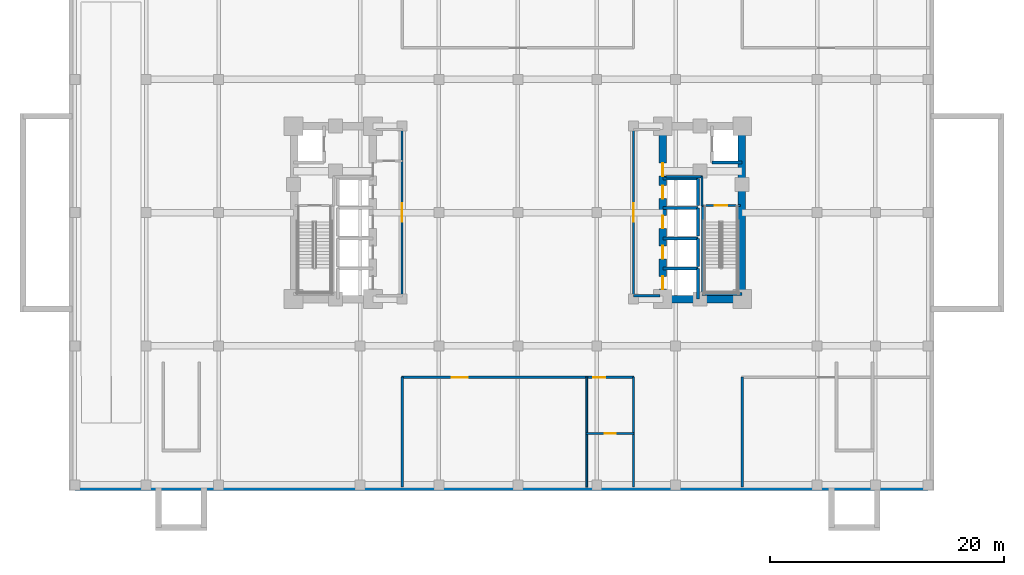
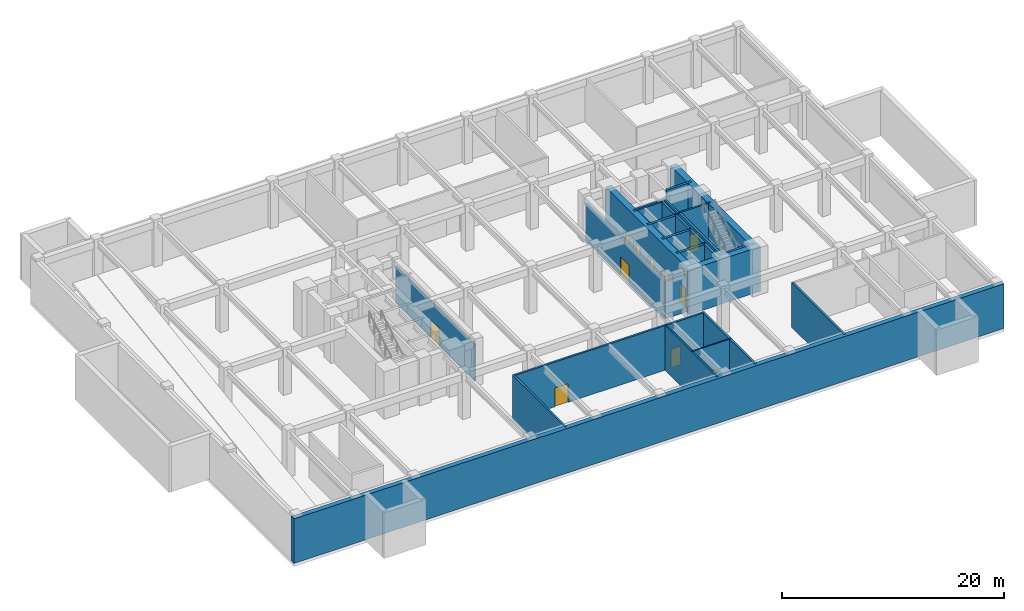
# One storey, part 4 of 7: 27 walls, 11 doors, 11 openings.
"""IFC4 building model written with IfcOpenShell, lengths in metres."""

from ifc_helpers import new_model, si_unit, direction, frame, frame_2d, origin, place, context, subcontext, project, spatial, rectangle, extrude, material, layer, layer_set, type_object, element, fill, save


model = new_model("IFC4")

# Units and contexts
model_context = context("Model", 3, precision=1e-05, world=origin(), true_north=direction((0.0, 1.0)))
body_context = subcontext(model_context, "Body", "Model", "MODEL_VIEW")
ifc_project = project(units=[si_unit("LENGTHUNIT", "METRE"), si_unit("AREAUNIT", "SQUARE_METRE"), si_unit("VOLUMEUNIT", "CUBIC_METRE"), si_unit("PLANEANGLEUNIT", "RADIAN"), si_unit("MASSUNIT", "GRAM", prefix="KILO")], contexts=[model_context])

# Site, building, storey
site_placement = place(None, origin())
site = spatial("IfcSite", under=ifc_project, at=site_placement, CompositionType="ELEMENT")
building_placement = place(site_placement, origin())
building = spatial("IfcBuilding", under=site, at=building_placement, Name="Voryun Gate Residences", CompositionType="ELEMENT")
storey_placement = place(building_placement, frame((0.0, 0.0, -5.199951171875)))
storey = spatial("IfcBuildingStorey", under=building, at=storey_placement, Name="B01", CompositionType="ELEMENT", Elevation=-5.199951171875)

# Walls
ifc_material_1 = material(Name="Concrete C50/60", Category="concrete")
ifc_layer_1 = layer(ifc_material_1, 0.5, Name="CW_BSMT_RET_500")
ifc_layer_set_1 = layer_set([ifc_layer_1], Name="Concrete C50/60")
wall_type_1 = type_object("IfcWallType", Name="CW_BSMT_RET_500", PredefinedType="USERDEFINED", material=ifc_layer_set_1)
wall_1_placement = place(storey_placement, frame((-38.39990234375, -23.550048828125, 0.0), z_axis=(0.0, 0.0, 1.0), x_axis=(1.0, 0.0, 0.0)))
element("IfcWall", 1, at=wall_1_placement, inside=storey, type_object=wall_type_1, Name="B01 Perimeter Basement Retaining Wall WRET-B01-S", ObjectType="RETAININGWALL", PredefinedType="USERDEFINED", context=body_context, shape_type="SweptSolid", body=[
    extrude(rectangle(XDim=74.0, YDim=0.5, at=frame_2d((37.0, 0.0))), origin(), (0.0, 0.0, 1.0), 4.919921875),
])
ifc_material_2 = material(Name="Concrete C60/75", Category="concrete")
ifc_layer_2 = layer(ifc_material_2, 0.64990234375, Name="CW_CORE_650")
ifc_layer_set_2 = layer_set([ifc_layer_2], Name="Concrete C60/75")
wall_type_2 = type_object("IfcWallType", Name="CW_CORE_650", PredefinedType="SHEAR", material=ifc_layer_set_2)
wall_2_placement = place(storey_placement, frame((12.074951171875, -7.39990234375, 0.0), z_axis=(0.0, 0.0, 1.0), x_axis=(1.0, 0.0, 0.0)))
element("IfcWall", 2, at=wall_2_placement, inside=storey, type_object=wall_type_2, Name="B01 Core shear wall CW-B01-ES", PredefinedType="SHEAR", context=body_context, shape_type="SweptSolid", body=[
    extrude(rectangle(XDim=7.449951171875, YDim=0.64990234375, at=frame_2d((3.72509765625, 0.0))), origin(), (0.0, 0.0, 1.0), 4.919921875),
])

# Wall, openings, doors
wall_3_placement = place(storey_placement, frame((12.39990234375, -7.39990234375, 0.0), z_axis=(0.0, 0.0, 1.0), x_axis=(0.0, 1.0, 0.0)))
wall_3 = element("IfcWall", 3, at=wall_3_placement, inside=storey, type_object=wall_type_2, Name="B01 Core shear wall CW-B01-EW", PredefinedType="SHEAR", context=body_context, shape_type="SweptSolid", body=[
    extrude(rectangle(XDim=14.7998046875, YDim=0.64990234375, at=frame_2d((7.39990234375, 0.0))), origin(), (0.0, 0.0, 1.0), 4.919921875),
])
opening_1_placement = place(wall_3_placement, frame((0.85009765625, 0.0, 0.0)))
opening_1 = element("IfcOpeningElement", 4, at=opening_1_placement, cuts=wall_3, Name="Opening LD2", PredefinedType="OPENING", context=body_context, shape_type="SweptSolid", body=[
    extrude(rectangle(XDim=1.10009765625, YDim=2.050048828125, at=frame_2d((0.550048828125, 1.02490234375))), frame((0.0, 0.3349609375, 0.0), z_axis=(0.0, -1.0, 0.0), x_axis=(1.0, 0.0, 0.0)), (0.0, 0.0, 1.0), 0.669921875),
])
opening_2_placement = place(wall_3_placement, frame((3.449951171875, 0.0, 0.0)))
opening_2 = element("IfcOpeningElement", 5, at=opening_2_placement, cuts=wall_3, Name="Opening LD2", PredefinedType="OPENING", context=body_context, shape_type="SweptSolid", body=[
    extrude(rectangle(XDim=1.10009765625, YDim=2.050048828125, at=frame_2d((0.550048828125, 1.02490234375))), frame((0.0, 0.3349609375, 0.0), z_axis=(0.0, -1.0, 0.0), x_axis=(1.0, 0.0, 0.0)), (0.0, 0.0, 1.0), 0.669921875),
])
opening_3_placement = place(wall_3_placement, frame((6.050048828125, 0.0, 0.0)))
opening_3 = element("IfcOpeningElement", 6, at=opening_3_placement, cuts=wall_3, Name="Opening LD2", PredefinedType="OPENING", context=body_context, shape_type="SweptSolid", body=[
    extrude(rectangle(XDim=1.10009765625, YDim=2.050048828125, at=frame_2d((0.550048828125, 1.02490234375))), frame((0.0, 0.3349609375, 0.0), z_axis=(0.0, -1.0, 0.0), x_axis=(1.0, 0.0, 0.0)), (0.0, 0.0, 1.0), 0.669921875),
])
opening_4_placement = place(wall_3_placement, frame((8.60009765625, 0.0, 0.0)))
opening_4 = element("IfcOpeningElement", 7, at=opening_4_placement, cuts=wall_3, Name="Opening LD2", PredefinedType="OPENING", context=body_context, shape_type="SweptSolid", body=[
    extrude(rectangle(XDim=1.10009765625, YDim=2.050048828125, at=frame_2d((0.550048828125, 1.02490234375))), frame((0.0, 0.3349609375, 0.0), z_axis=(0.0, -1.0, 0.0), x_axis=(1.0, 0.0, 0.0)), (0.0, 0.0, 1.0), 0.669921875),
])
opening_5_placement = place(wall_3_placement, frame((10.530029296875, 0.0, 0.0)))
opening_5 = element("IfcOpeningElement", 8, at=opening_5_placement, cuts=wall_3, Name="Opening D-FD60-2", PredefinedType="OPENING", context=body_context, shape_type="SweptSolid", body=[
    extrude(rectangle(XDim=1.10009765625, YDim=2.050048828125, at=frame_2d((0.550048828125, 1.02490234375))), frame((0.0, 0.3349609375, 0.0), z_axis=(0.0, -1.0, 0.0), x_axis=(1.0, 0.0, 0.0)), (0.0, 0.0, 1.0), 0.669921875),
])
ifc_material_3 = material(Name="Painted steel fire door", Category="steel")
door_type_1 = type_object("IfcDoorType", Name="DR_FD60_FFLOB_1100", OperationType="NOTDEFINED", PredefinedType="DOOR", material=ifc_material_3)
door_1_placement = place(opening_5_placement, origin())
door_1 = element("IfcDoor", 9, at=door_1_placement, inside=storey, type_object=door_type_1, Name="Door DR-B01-CLOB-E", OperationType="SINGLE_SWING_RIGHT", OverallHeight=2.050048828125, OverallWidth=1.10009765625, PredefinedType="DOOR", context=body_context, shape_type="SweptSolid", body=[
    extrude(rectangle(XDim=1.10009765625, YDim=2.050048828125, at=frame_2d((0.550048828125, 1.02490234375))), frame((0.0, 0.02490234375, 0.0), z_axis=(0.0, -1.0, 0.0), x_axis=(1.0, 0.0, 0.0)), (0.0, 0.0, 1.0), 0.050048828125),
])
fill(opening_5, door_1)
ifc_material_4 = material(Name="Anodised aluminium", Category="aluminium")
door_type_2 = type_object("IfcDoorType", Name="DR_LD_PASS_1100", OperationType="NOTDEFINED", PredefinedType="DOOR", material=ifc_material_4)
door_2_placement = place(opening_1_placement, origin())
door_2 = element("IfcDoor", 10, at=door_2_placement, inside=storey, type_object=door_type_2, Name="Lift EL-P3 sliding landing door B01", OperationType="SLIDING_TO_LEFT", OverallHeight=2.050048828125, OverallWidth=1.10009765625, PredefinedType="DOOR", context=body_context, shape_type="SweptSolid", body=[
    extrude(rectangle(XDim=1.10009765625, YDim=2.050048828125, at=frame_2d((0.550048828125, 1.02490234375))), frame((0.0, 0.02490234375, 0.0), z_axis=(0.0, -1.0, 0.0), x_axis=(1.0, 0.0, 0.0)), (0.0, 0.0, 1.0), 0.050048828125),
])
fill(opening_1, door_2)
door_3_placement = place(opening_2_placement, origin())
door_3 = element("IfcDoor", 11, at=door_3_placement, inside=storey, type_object=door_type_2, Name="Lift EL-P5 sliding landing door B01", OperationType="SLIDING_TO_LEFT", OverallHeight=2.050048828125, OverallWidth=1.10009765625, PredefinedType="DOOR", context=body_context, shape_type="SweptSolid", body=[
    extrude(rectangle(XDim=1.10009765625, YDim=2.050048828125, at=frame_2d((0.550048828125, 1.02490234375))), frame((0.0, 0.02490234375, 0.0), z_axis=(0.0, -1.0, 0.0), x_axis=(1.0, 0.0, 0.0)), (0.0, 0.0, 1.0), 0.050048828125),
])
fill(opening_2, door_3)
door_4_placement = place(opening_3_placement, origin())
door_4 = element("IfcDoor", 12, at=door_4_placement, inside=storey, type_object=door_type_2, Name="Lift EL-P6 sliding landing door B01", OperationType="SLIDING_TO_LEFT", OverallHeight=2.050048828125, OverallWidth=1.10009765625, PredefinedType="DOOR", context=body_context, shape_type="SweptSolid", body=[
    extrude(rectangle(XDim=1.10009765625, YDim=2.050048828125, at=frame_2d((0.550048828125, 1.02490234375))), frame((0.0, 0.02490234375, 0.0), z_axis=(0.0, -1.0, 0.0), x_axis=(1.0, 0.0, 0.0)), (0.0, 0.0, 1.0), 0.050048828125),
])
fill(opening_3, door_4)
door_5_placement = place(opening_4_placement, origin())
door_5 = element("IfcDoor", 13, at=door_5_placement, inside=storey, type_object=door_type_2, Name="Lift EL-P8 sliding landing door B01", OperationType="SLIDING_TO_LEFT", OverallHeight=2.050048828125, OverallWidth=1.10009765625, PredefinedType="DOOR", context=body_context, shape_type="SweptSolid", body=[
    extrude(rectangle(XDim=1.10009765625, YDim=2.050048828125, at=frame_2d((0.550048828125, 1.02490234375))), frame((0.0, 0.02490234375, 0.0), z_axis=(0.0, -1.0, 0.0), x_axis=(1.0, 0.0, 0.0)), (0.0, 0.0, 1.0), 0.050048828125),
])
fill(opening_4, door_5)

# Wall
wall_4_placement = place(storey_placement, frame((19.14501953125, -7.39990234375, 0.0), z_axis=(0.0, 0.0, 1.0), x_axis=(0.0, 1.0, 0.0)))
element("IfcWall", 14, at=wall_4_placement, inside=storey, type_object=wall_type_2, Name="B01 Core shear wall CW-B01-EE", PredefinedType="SHEAR", context=body_context, shape_type="SweptSolid", body=[
    extrude(rectangle(XDim=14.7998046875, YDim=0.64990234375, at=frame_2d((7.39990234375, 0.0))), origin(), (0.0, 0.0, 1.0), 4.919921875),
])

# Wall, opening, door
ifc_material_5 = material(Name="Gypsum acoustic fireboard")
ifc_layer_3 = layer(ifc_material_5, 0.179931640625, Name="W_CORR_RATED_180")
ifc_layer_set_3 = layer_set([ifc_layer_3], Name="Gypsum acoustic fireboard")
wall_type_3 = type_object("IfcWallType", Name="W_CORR_RATED_180", PredefinedType="PARTITIONING", material=ifc_layer_set_3)
wall_5_placement = place(storey_placement, frame((15.699951171875, 0.60009765625, 0.0), z_axis=(0.0, 0.0, 1.0), x_axis=(1.0, 0.0, 0.0)))
wall_5 = element("IfcWall", 15, at=wall_5_placement, inside=storey, type_object=wall_type_3, Name="Partition wall WP-B01-STV-E", PredefinedType="PARTITIONING", context=body_context, shape_type="SweptSolid", body=[
    extrude(rectangle(XDim=3.360107421875, YDim=0.179931640625, at=frame_2d((1.68017578125, 0.0))), origin(), (0.0, 0.0, 1.0), 4.919921875),
])
opening_6_placement = place(wall_5_placement, frame((1.155029296875, 0.0, 0.0)))
opening_6 = element("IfcOpeningElement", 16, at=opening_6_placement, cuts=wall_5, Name="Opening D-FD60-1", PredefinedType="OPENING", context=body_context, shape_type="SweptSolid", body=[
    extrude(rectangle(XDim=1.050048828125, YDim=2.050048828125, at=frame_2d((0.52490234375, 1.02490234375))), frame((0.0, 0.099853515625, 0.0), z_axis=(0.0, -1.0, 0.0), x_axis=(1.0, 0.0, 0.0)), (0.0, 0.0, 1.0), 0.199951171875),
])
ifc_material_6 = material(Name="Painted steel fire door", Category="steel")
door_type_3 = type_object("IfcDoorType", Name="DR_FD60_STAIR_1050", OperationType="NOTDEFINED", PredefinedType="DOOR", material=ifc_material_6)
door_6_placement = place(opening_6_placement, origin())
door_6 = element("IfcDoor", 17, at=door_6_placement, inside=storey, type_object=door_type_3, Name="Door DR-B01-ST-E", OperationType="SINGLE_SWING_RIGHT", OverallHeight=2.050048828125, OverallWidth=1.050048828125, PredefinedType="DOOR", context=body_context, shape_type="SweptSolid", body=[
    extrude(rectangle(XDim=1.050048828125, YDim=2.050048828125, at=frame_2d((0.52490234375, 1.02490234375))), frame((0.0, 0.02490234375, 0.0), z_axis=(0.0, -1.0, 0.0), x_axis=(1.0, 0.0, 0.0)), (0.0, 0.0, 1.0), 0.050048828125),
])
fill(opening_6, door_6)

# Wall
wall_6_placement = place(storey_placement, frame((9.8798828125, -7.1201171875, 0.0), z_axis=(0.0, 0.0, 1.0), x_axis=(1.0, 0.0, 0.0)))
element("IfcWall", 18, at=wall_6_placement, inside=storey, type_object=wall_type_3, Name="Partition wall WP-B01-PLBS-E", PredefinedType="PARTITIONING", context=body_context, shape_type="SweptSolid", body=[
    extrude(rectangle(XDim=2.27001953125, YDim=0.179931640625, at=frame_2d((1.135009765625, 0.0))), origin(), (0.0, 0.0, 1.0), 4.10986328125),
])

# Wall, opening, door
wall_7_placement = place(storey_placement, frame((-9.89990234375, -7.1201171875, 0.0), z_axis=(0.0, 0.0, 1.0), x_axis=(0.0, 1.0, 0.0)))
wall_7 = element("IfcWall", 19, at=wall_7_placement, inside=storey, type_object=wall_type_3, Name="Partition wall WP-B01-PLBW", PredefinedType="PARTITIONING", context=body_context, shape_type="SweptSolid", body=[
    extrude(rectangle(XDim=14.240234375, YDim=0.179931640625, at=frame_2d((7.1201171875, 0.0))), origin(), (0.0, 0.0, 1.0), 4.10986328125),
])
opening_7_placement = place(wall_7_placement, frame((6.320068359375, 0.0, 0.0)))
opening_7 = element("IfcOpeningElement", 20, at=opening_7_placement, cuts=wall_7, Name="Opening D-FD30-1", PredefinedType="OPENING", context=body_context, shape_type="SweptSolid", body=[
    extrude(rectangle(XDim=1.60009765625, YDim=2.050048828125, at=frame_2d((0.800048828125, 1.02490234375))), frame((0.0, 0.099853515625, 0.0), z_axis=(0.0, -1.0, 0.0), x_axis=(1.0, 0.0, 0.0)), (0.0, 0.0, 1.0), 0.199951171875),
])
ifc_material_7 = material(Name="Glazed aluminium fire door", Category="aluminium")
door_type_4 = type_object("IfcDoorType", Name="DR_CORR_SMOKE_1600", OperationType="NOTDEFINED", PredefinedType="DOOR", material=ifc_material_7)
door_7_placement = place(opening_7_placement, origin())
door_7 = element("IfcDoor", 21, at=door_7_placement, inside=storey, type_object=door_type_4, Name="Door DR-B01-PLBW", OperationType="DOUBLE_DOOR_SINGLE_SWING", OverallHeight=2.050048828125, OverallWidth=1.60009765625, PredefinedType="DOOR", context=body_context, shape_type="SweptSolid", body=[
    extrude(rectangle(XDim=1.60009765625, YDim=2.050048828125, at=frame_2d((0.800048828125, 1.02490234375))), frame((0.0, 0.02490234375, 0.0), z_axis=(0.0, -1.0, 0.0), x_axis=(1.0, 0.0, 0.0)), (0.0, 0.0, 1.0), 0.050048828125),
])
fill(opening_7, door_7)

wall_8_placement = place(storey_placement, frame((9.89990234375, -7.1201171875, 0.0), z_axis=(0.0, 0.0, 1.0), x_axis=(0.0, 1.0, 0.0)))
wall_8 = element("IfcWall", 22, at=wall_8_placement, inside=storey, type_object=wall_type_3, Name="Partition wall WP-B01-PLBE", PredefinedType="PARTITIONING", context=body_context, shape_type="SweptSolid", body=[
    extrude(rectangle(XDim=14.240234375, YDim=0.179931640625, at=frame_2d((7.1201171875, 0.0))), origin(), (0.0, 0.0, 1.0), 4.10986328125),
])
opening_8_placement = place(wall_8_placement, frame((6.320068359375, 0.0, 0.0)))
opening_8 = element("IfcOpeningElement", 23, at=opening_8_placement, cuts=wall_8, Name="Opening D-FD30-1", PredefinedType="OPENING", context=body_context, shape_type="SweptSolid", body=[
    extrude(rectangle(XDim=1.60009765625, YDim=2.050048828125, at=frame_2d((0.800048828125, 1.02490234375))), frame((0.0, 0.099853515625, 0.0), z_axis=(0.0, -1.0, 0.0), x_axis=(1.0, 0.0, 0.0)), (0.0, 0.0, 1.0), 0.199951171875),
])
door_8_placement = place(opening_8_placement, origin())
door_8 = element("IfcDoor", 24, at=door_8_placement, inside=storey, type_object=door_type_4, Name="Door DR-B01-PLBE", OperationType="DOUBLE_DOOR_SINGLE_SWING", OverallHeight=2.050048828125, OverallWidth=1.60009765625, PredefinedType="DOOR", context=body_context, shape_type="SweptSolid", body=[
    extrude(rectangle(XDim=1.60009765625, YDim=2.050048828125, at=frame_2d((0.800048828125, 1.02490234375))), frame((0.0, 0.02490234375, 0.0), z_axis=(0.0, -1.0, 0.0), x_axis=(1.0, 0.0, 0.0)), (0.0, 0.0, 1.0), 0.050048828125),
])
fill(opening_8, door_8)

# Walls
ifc_material_8 = material(Name="Concrete C40/50", Category="concrete")
ifc_layer_4 = layer(ifc_material_8, 0.199951171875, Name="W_FF_LOBBY_200")
ifc_layer_set_4 = layer_set([ifc_layer_4], Name="Concrete C40/50")
wall_type_4 = type_object("IfcWallType", Name="W_FF_LOBBY_200", PredefinedType="PARTITIONING", material=ifc_layer_set_4)
wall_9_placement = place(storey_placement, frame((15.760009765625, 0.580078125, 0.0), z_axis=(0.0, 0.0, 1.0), x_axis=(0.0, 1.0, 0.0)))
element("IfcWall", 25, at=wall_9_placement, inside=storey, type_object=wall_type_4, Name="Partition wall WP-B01-FFP0-E", PredefinedType="PARTITIONING", context=body_context, shape_type="SweptSolid", body=[
    extrude(rectangle(XDim=2.52001953125, YDim=0.199951171875, at=frame_2d((1.260009765625, 0.0))), origin(), (0.0, 0.0, 1.0), 4.919921875),
])
wall_10_placement = place(storey_placement, frame((12.659912109375, 3.06005859375, 0.0), z_axis=(0.0, 0.0, 1.0), x_axis=(1.0, 0.0, 0.0)))
element("IfcWall", 26, at=wall_10_placement, inside=storey, type_object=wall_type_4, Name="Partition wall WP-B01-FFPS-E", PredefinedType="PARTITIONING", context=body_context, shape_type="SweptSolid", body=[
    extrude(rectangle(XDim=3.16015625, YDim=0.199951171875, at=frame_2d((1.580078125, 0.0))), origin(), (0.0, 0.0, 1.0), 4.919921875),
])
for number, where, z_axis, x_axis, name in (
    (27, (-9.89990234375, -23.5, 0.0), (0.0, 0.0, 1.0), (0.0, 1.0, 0.0), "Partition wall WP-B01-PLW-S"),
    (28, (9.89990234375, -23.5, 0.0), (0.0, 0.0, 1.0), (0.0, 1.0, 0.0), "Partition wall WP-B01-PLE-S"),
    (29, (19.199951171875, -23.5, 0.0), (0.0, 0.0, 1.0), (0.0, 1.0, 0.0), "Partition wall WP-B01-PLE2-S"),
):
    element("IfcWall", number, at=place(storey_placement, frame(where, z_axis=z_axis, x_axis=x_axis)), inside=storey, type_object=wall_type_4, Name=name, PredefinedType="PARTITIONING", context=body_context, shape_type="SweptSolid", body=[
        extrude(rectangle(XDim=9.449951171875, YDim=0.199951171875, at=frame_2d((4.72509765625, 0.0))), origin(), (0.0, 0.0, 1.0), 4.919921875),
    ])

# Wall, openings, doors
wall_11_placement = place(storey_placement, frame((-9.949951171875, -14.10009765625, 0.0), z_axis=(0.0, 0.0, 1.0), x_axis=(1.0, 0.0, 0.0)))
wall_11 = element("IfcWall", 30, at=wall_11_placement, inside=storey, type_object=wall_type_4, Name="Partition wall WP-B01-PLNT-SC", PredefinedType="PARTITIONING", context=body_context, shape_type="SweptSolid", body=[
    extrude(rectangle(XDim=19.89990234375, YDim=0.199951171875, at=frame_2d((9.949951171875, 0.0))), origin(), (0.0, 0.0, 1.0), 4.919921875),
])
opening_9_placement = place(wall_11_placement, frame((4.27490234375, 0.0, 0.0)))
opening_9 = element("IfcOpeningElement", 31, at=opening_9_placement, cuts=wall_11, Name="Opening D-FD60-3", PredefinedType="OPENING", context=body_context, shape_type="SweptSolid", body=[
    extrude(rectangle(XDim=1.39990234375, YDim=2.050048828125, at=frame_2d((0.699951171875, 1.02490234375))), frame((0.0, 0.110107421875, 0.0), z_axis=(0.0, -1.0, 0.0), x_axis=(1.0, 0.0, 0.0)), (0.0, 0.0, 1.0), 0.219970703125),
])
opening_10_placement = place(wall_11_placement, frame((16.4150390625, 0.0, 0.0)))
opening_10 = element("IfcOpeningElement", 32, at=opening_10_placement, cuts=wall_11, Name="Opening D-AWC-1", PredefinedType="OPENING", context=body_context, shape_type="SweptSolid", body=[
    extrude(rectangle(XDim=1.0, YDim=2.050048828125, at=frame_2d((0.5, 1.02490234375))), frame((0.0, 0.110107421875, 0.0), z_axis=(0.0, -1.0, 0.0), x_axis=(1.0, 0.0, 0.0)), (0.0, 0.0, 1.0), 0.219970703125),
])
ifc_material_9 = material(Name="Architectural oak veneer")
door_type_5 = type_object("IfcDoorType", Name="DR_ACC_WC_1000", OperationType="NOTDEFINED", PredefinedType="DOOR", material=ifc_material_9)
door_9_placement = place(opening_10_placement, origin())
door_9 = element("IfcDoor", 33, at=door_9_placement, inside=storey, type_object=door_type_5, Name="Door DR-B01-PL2-S", OperationType="SINGLE_SWING_RIGHT", OverallHeight=2.050048828125, OverallWidth=1.0, PredefinedType="DOOR", context=body_context, shape_type="SweptSolid", body=[
    extrude(rectangle(XDim=1.0, YDim=2.050048828125, at=frame_2d((0.5, 1.02490234375))), frame((0.0, 0.02490234375, 0.0), z_axis=(0.0, -1.0, 0.0), x_axis=(1.0, 0.0, 0.0)), (0.0, 0.0, 1.0), 0.050048828125),
])
fill(opening_10, door_9)
ifc_material_10 = material(Name="Painted steel fire door", Category="steel")
door_type_6 = type_object("IfcDoorType", Name="DR_FD60_PLANT_1400", OperationType="NOTDEFINED", PredefinedType="DOOR", material=ifc_material_10)
door_10_placement = place(opening_9_placement, origin())
door_10 = element("IfcDoor", 34, at=door_10_placement, inside=storey, type_object=door_type_6, Name="Door DR-B01-PL1-S", OperationType="DOUBLE_DOOR_SINGLE_SWING", OverallHeight=2.050048828125, OverallWidth=1.39990234375, PredefinedType="DOOR", context=body_context, shape_type="SweptSolid", body=[
    extrude(rectangle(XDim=1.39990234375, YDim=2.050048828125, at=frame_2d((0.699951171875, 1.02490234375))), frame((0.0, 0.02490234375, 0.0), z_axis=(0.0, -1.0, 0.0), x_axis=(1.0, 0.0, 0.0)), (0.0, 0.0, 1.0), 0.050048828125),
])
fill(opening_9, door_10)

# Walls
ifc_material_11 = material(Name="Concrete C50/60", Category="concrete")
ifc_layer_5 = layer(ifc_material_11, 0.25, Name="W_SHAFT_RC250")
ifc_layer_set_5 = layer_set([ifc_layer_5], Name="Concrete C50/60")
wall_type_5 = type_object("IfcWallType", Name="W_SHAFT_RC250", PredefinedType="SOLIDWALL", material=ifc_layer_set_5)
wall_12_placement = place(storey_placement, frame((15.860107421875, -7.0849609375, 0.0), z_axis=(0.0, 0.0, 1.0), x_axis=(0.0, 1.0, 0.0)))
element("IfcWall", 35, at=wall_12_placement, inside=storey, type_object=wall_type_5, Name="B01 Stair shaft structural wall E-STL", PredefinedType="SOLIDWALL", context=body_context, shape_type="SweptSolid", body=[
    extrude(rectangle(XDim=7.68505859375, YDim=0.25, at=frame_2d((3.842529296875, 0.0))), origin(), (0.0, 0.0, 1.0), 4.919921875),
])
wall_13_placement = place(storey_placement, frame((15.739990234375, -6.965087890625, 0.0), z_axis=(0.0, 0.0, 1.0), x_axis=(1.0, 0.0, 0.0)))
element("IfcWall", 36, at=wall_13_placement, inside=storey, type_object=wall_type_5, Name="B01 Stair shaft structural wall E-STS", PredefinedType="SOLIDWALL", context=body_context, shape_type="SweptSolid", body=[
    extrude(rectangle(XDim=3.4599609375, YDim=0.25, at=frame_2d((1.72998046875, 0.0))), origin(), (0.0, 0.0, 1.0), 4.919921875),
])
for number, where, z_axis, x_axis, name in (
    (37, (16.60009765625, 4.300048828125, 0.0), (0.0, 0.0, 1.0), (1.0, 0.0, 0.0), "Lift shaft wall WSH-B01-EL-FF-E1-S"),
    (38, (15.39990234375, -7.39990234375, 0.0), (0.0, 0.0, 1.0), (0.0, 1.0, 0.0), "Lift shaft wall WSH-B01-EL-P3-E"),
):
    element("IfcWall", number, at=place(storey_placement, frame(where, z_axis=z_axis, x_axis=x_axis)), inside=storey, type_object=wall_type_5, Name=name, PredefinedType="SOLIDWALL", context=body_context, shape_type="SweptSolid", body=[
        extrude(rectangle(XDim=2.599853515625, YDim=0.25, at=frame_2d((1.2998046875, 0.0))), origin(), (0.0, 0.0, 1.0), 4.919921875),
    ])
wall_14_placement = place(storey_placement, frame((15.39990234375, -4.800048828125, 0.0), z_axis=(0.0, 0.0, 1.0), x_axis=(-1.0, 0.0, 0.0)))
element("IfcWall", 39, at=wall_14_placement, inside=storey, type_object=wall_type_5, Name="Lift shaft wall WSH-B01-EL-P3-N", PredefinedType="SOLIDWALL", context=body_context, shape_type="SweptSolid", body=[
    extrude(rectangle(XDim=3.0, YDim=0.25, at=frame_2d((1.5, 0.0))), origin(), (0.0, 0.0, 1.0), 4.919921875),
])
wall_15_placement = place(storey_placement, frame((15.39990234375, -4.60009765625, 0.0), z_axis=(0.0, 0.0, 1.0), x_axis=(0.0, 1.0, 0.0)))
element("IfcWall", 40, at=wall_15_placement, inside=storey, type_object=wall_type_5, Name="Lift shaft wall WSH-B01-EL-P5-E", PredefinedType="SOLIDWALL", context=body_context, shape_type="SweptSolid", body=[
    extrude(rectangle(XDim=2.400146484375, YDim=0.25, at=frame_2d((1.2001953125, 0.0))), origin(), (0.0, 0.0, 1.0), 4.919921875),
])
wall_16_placement = place(storey_placement, frame((15.39990234375, -2.199951171875, 0.0), z_axis=(0.0, 0.0, 1.0), x_axis=(-1.0, 0.0, 0.0)))
element("IfcWall", 41, at=wall_16_placement, inside=storey, type_object=wall_type_5, Name="Lift shaft wall WSH-B01-EL-P5-N", PredefinedType="SOLIDWALL", context=body_context, shape_type="SweptSolid", body=[
    extrude(rectangle(XDim=3.0, YDim=0.25, at=frame_2d((1.5, 0.0))), origin(), (0.0, 0.0, 1.0), 4.919921875),
])
wall_17_placement = place(storey_placement, frame((15.39990234375, -2.0, 0.0), z_axis=(0.0, 0.0, 1.0), x_axis=(0.0, 1.0, 0.0)))
element("IfcWall", 42, at=wall_17_placement, inside=storey, type_object=wall_type_5, Name="Lift shaft wall WSH-B01-EL-P6-E", PredefinedType="SOLIDWALL", context=body_context, shape_type="SweptSolid", body=[
    extrude(rectangle(XDim=2.39990234375, YDim=0.25, at=frame_2d((1.199951171875, 0.0))), origin(), (0.0, 0.0, 1.0), 4.919921875),
])
wall_18_placement = place(storey_placement, frame((15.39990234375, 0.39990234375, 0.0), z_axis=(0.0, 0.0, 1.0), x_axis=(-1.0, 0.0, 0.0)))
element("IfcWall", 43, at=wall_18_placement, inside=storey, type_object=wall_type_5, Name="Lift shaft wall WSH-B01-EL-P6-N", PredefinedType="SOLIDWALL", context=body_context, shape_type="SweptSolid", body=[
    extrude(rectangle(XDim=3.0, YDim=0.25, at=frame_2d((1.5, 0.0))), origin(), (0.0, 0.0, 1.0), 4.919921875),
])
wall_19_placement = place(storey_placement, frame((15.39990234375, 0.60009765625, 0.0), z_axis=(0.0, 0.0, 1.0), x_axis=(0.0, 1.0, 0.0)))
element("IfcWall", 44, at=wall_19_placement, inside=storey, type_object=wall_type_5, Name="Lift shaft wall WSH-B01-EL-P8-E", PredefinedType="SOLIDWALL", context=body_context, shape_type="SweptSolid", body=[
    extrude(rectangle(XDim=2.2998046875, YDim=0.25, at=frame_2d((1.14990234375, 0.0))), origin(), (0.0, 0.0, 1.0), 4.919921875),
])
wall_20_placement = place(storey_placement, frame((15.39990234375, 2.89990234375, 0.0), z_axis=(0.0, 0.0, 1.0), x_axis=(-1.0, 0.0, 0.0)))
element("IfcWall", 45, at=wall_20_placement, inside=storey, type_object=wall_type_5, Name="Lift shaft wall WSH-B01-EL-P8-N", PredefinedType="SOLIDWALL", context=body_context, shape_type="SweptSolid", body=[
    extrude(rectangle(XDim=3.0, YDim=0.25, at=frame_2d((1.5, 0.0))), origin(), (0.0, 0.0, 1.0), 4.919921875),
])
ifc_material_12 = material(Name="Gypsum moisture-resistant partition")
ifc_layer_6 = layer(ifc_material_12, 0.14990234375, Name="W_WET_PLUMB_150")
ifc_layer_set_6 = layer_set([ifc_layer_6], Name="Gypsum moisture-resistant partition")
wall_type_6 = type_object("IfcWallType", Name="W_WET_PLUMB_150", PredefinedType="PLUMBINGWALL", material=ifc_layer_set_6)
wall_21_placement = place(storey_placement, frame((5.89990234375, -23.5, 0.0), z_axis=(0.0, 0.0, 1.0), x_axis=(0.0, 1.0, 0.0)))
element("IfcWall", 46, at=wall_21_placement, inside=storey, type_object=wall_type_6, Name="Partition wall WP-B01-SHDIV1", PredefinedType="PLUMBINGWALL", context=body_context, shape_type="SweptSolid", body=[
    extrude(rectangle(XDim=9.449951171875, YDim=0.14990234375, at=frame_2d((4.72509765625, 0.0))), origin(), (0.0, 0.0, 1.0), 4.919921875),
])

# Wall, opening, door
wall_22_placement = place(storey_placement, frame((5.85009765625, -18.89990234375, 0.0), z_axis=(0.0, 0.0, 1.0), x_axis=(1.0, 0.0, 0.0)))
wall_22 = element("IfcWall", 47, at=wall_22_placement, inside=storey, type_object=wall_type_6, Name="Partition wall WP-B01-SHDIV2", PredefinedType="PLUMBINGWALL", context=body_context, shape_type="SweptSolid", body=[
    extrude(rectangle(XDim=4.099853515625, YDim=0.14990234375, at=frame_2d((2.0498046875, 0.0))), origin(), (0.0, 0.0, 1.0), 4.919921875),
])
opening_11_placement = place(wall_22_placement, frame((1.574951171875, 0.0, 0.0)))
opening_11 = element("IfcOpeningElement", 48, at=opening_11_placement, cuts=wall_22, Name="Opening D-INT-1", PredefinedType="OPENING", context=body_context, shape_type="SweptSolid", body=[
    extrude(rectangle(XDim=0.949951171875, YDim=2.050048828125, at=frame_2d((0.47509765625, 1.02490234375))), frame((0.0, 0.0849609375, 0.0), z_axis=(0.0, -1.0, 0.0), x_axis=(1.0, 0.0, 0.0)), (0.0, 0.0, 1.0), 0.169921875),
])
ifc_material_13 = material(Name="Architectural oak veneer")
door_type_7 = type_object("IfcDoorType", Name="DR_INT_ROOM_950", OperationType="NOTDEFINED", PredefinedType="DOOR", material=ifc_material_13)
door_11_placement = place(opening_11_placement, origin())
door_11 = element("IfcDoor", 49, at=door_11_placement, inside=storey, type_object=door_type_7, Name="Door DR-B01-LOCK", OperationType="SINGLE_SWING_LEFT", OverallHeight=2.050048828125, OverallWidth=0.949951171875, PredefinedType="DOOR", context=body_context, shape_type="SweptSolid", body=[
    extrude(rectangle(XDim=0.949951171875, YDim=2.050048828125, at=frame_2d((0.47509765625, 1.02490234375))), frame((0.0, 0.02490234375, 0.0), z_axis=(0.0, -1.0, 0.0), x_axis=(1.0, 0.0, 0.0)), (0.0, 0.0, 1.0), 0.050048828125),
])
fill(opening_11, door_11)

save(model, "model.ifc")
